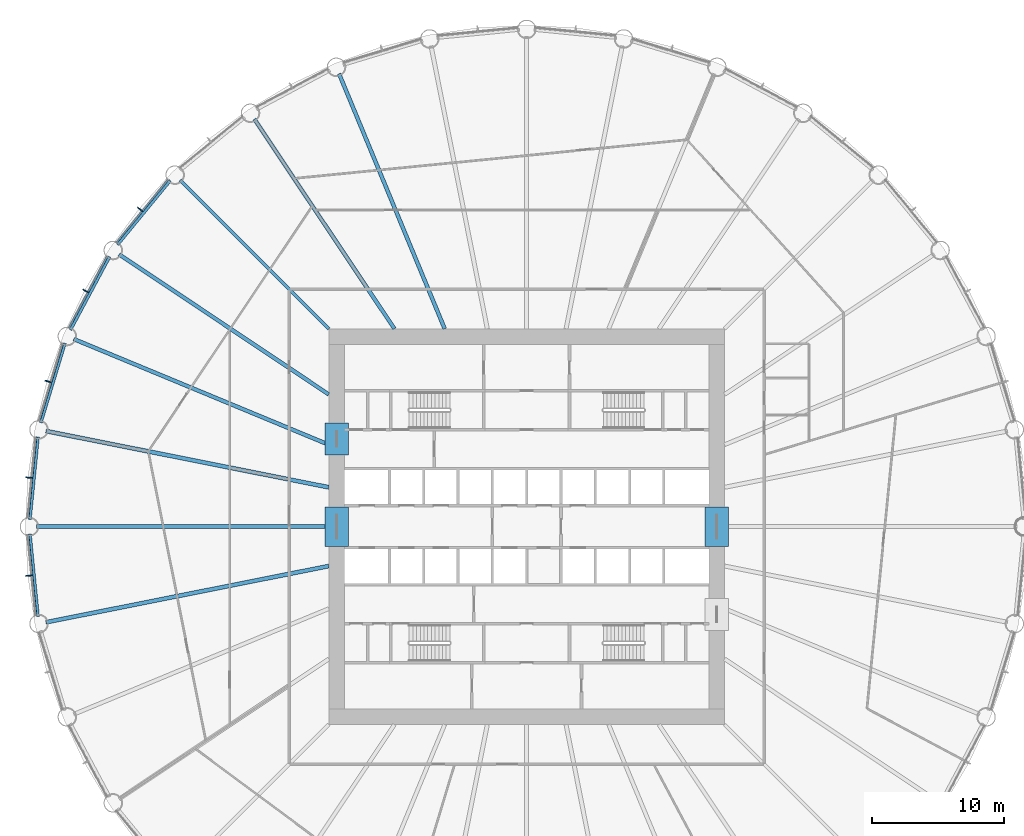
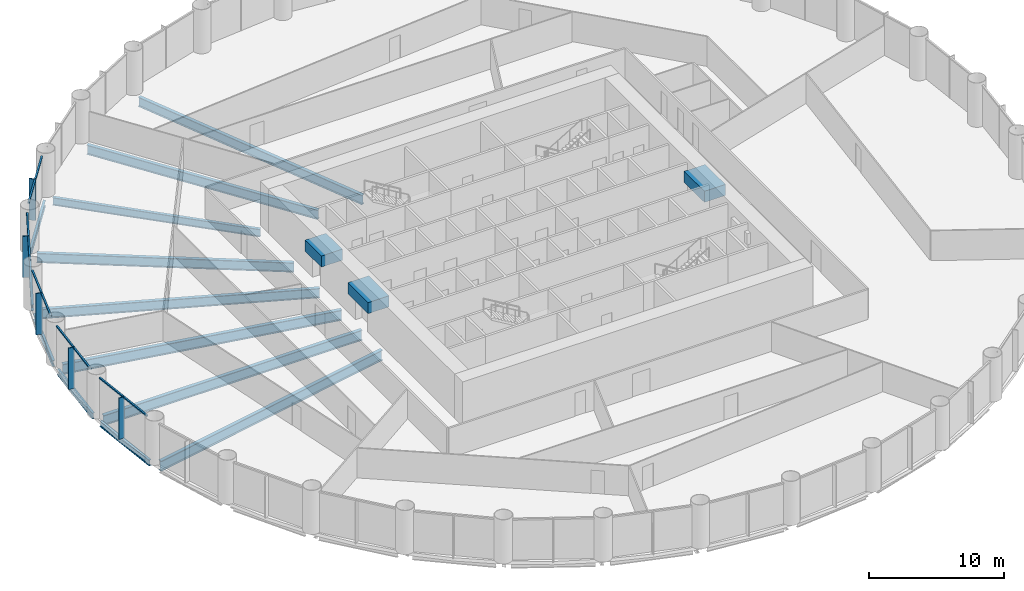
# One storey, part 4 of 14: 16 beams, 15 members, 5 elements without a shape of their own.
"""IFC4 building model written with IfcOpenShell, lengths in metres."""

from ifc_helpers import new_model, si_unit, direction, frame, origin, origin_2d, place, context, subcontext, project, spatial, rectangle, i_section, extrude, material, material_profile, profile_set, type_object, element, aggregate, save


model = new_model("IFC4")

# Units and contexts
model_context = context("Model", 3, precision=1e-05, world=origin(), true_north=direction((0.0, 1.0)))
body_context = subcontext(model_context, "Body", "Model", "MODEL_VIEW")
ifc_project = project(units=[si_unit("LENGTHUNIT", "METRE"), si_unit("AREAUNIT", "SQUARE_METRE"), si_unit("VOLUMEUNIT", "CUBIC_METRE"), si_unit("PLANEANGLEUNIT", "RADIAN"), si_unit("MASSUNIT", "GRAM", prefix="KILO")], contexts=[model_context])

# Site, building, storey
site_placement = place(None, origin())
site = spatial("IfcSite", under=ifc_project, at=site_placement, CompositionType="ELEMENT")
building_placement = place(site_placement, origin())
building = spatial("IfcBuilding", under=site, at=building_placement, Name="Corvane Civic Tower", CompositionType="ELEMENT")
storey_placement = place(building_placement, frame((0.0, 0.0, 49.0)))
storey = spatial("IfcBuildingStorey", under=building, at=storey_placement, Name="L10", CompositionType="ELEMENT", Elevation=49.0)

# Beams
ifc_material_1 = material(Name="Concrete C80/95", Category="concrete")
ifc_material_profile_1 = material_profile(ifc_material_1, rectangle(XDim=1.800048828125, YDim=1.0, at=origin_2d()), Name="COUPLING BEAM 1800X1000")
ifc_profile_set_1 = profile_set([ifc_material_profile_1], Name="Concrete C80/95")
beam_type_1 = type_object("IfcBeamType", Name="COUPLING BEAM COUPLING BEAM 1800X1000", PredefinedType="BEAM", material=ifc_profile_set_1)
for number, where, z_axis, x_axis, name in (
    (1, (-14.39990234375, -1.5, 2.60009765625), (0.0, 1.0, 0.0), (-1.0, 0.0, 0.0), "BM-L10-cpl-CW-LW"),
    (2, (14.39990234375, -1.5, 2.60009765625), (0.0, 1.0, 0.0), (-1.0, 0.0, 0.0), "BM-L10-cpl-CW-LE"),
):
    element("IfcBeam", number, at=place(storey_placement, frame(where, z_axis=z_axis, x_axis=x_axis)), inside=storey, type_object=beam_type_1, Name=name, PredefinedType="BEAM", context=body_context, shape_type="SweptSolid", body=[
        extrude(rectangle(XDim=1.800048828125, YDim=1.0, at=origin_2d()), origin(), (0.0, 0.0, 1.0), 3.0),
    ])
beam_1_placement = place(storey_placement, frame((-14.39990234375, 5.449951171875, 2.60009765625), z_axis=(0.0, 1.0, 0.0), x_axis=(-1.0, 0.0, 0.0)))
element("IfcBeam", 3, at=beam_1_placement, inside=storey, type_object=beam_type_1, Name="BM-L10-cpl-CW-WN", PredefinedType="BEAM", context=body_context, shape_type="SweptSolid", body=[
    extrude(rectangle(XDim=1.800048828125, YDim=1.0, at=origin_2d()), origin(), (0.0, 0.0, 1.0), 2.400146484375),
])
ifc_material_2 = material(Name="Steel ASTM A992 Gr 50", Category="steel")
ifc_material_profile_2 = material_profile(ifc_material_2, i_section(OverallWidth=0.209228515625, OverallDepth=0.533447265625, WebThickness=0.01025390625, FlangeThickness=0.015625, at=origin_2d()), Name="W21X62")
ifc_profile_set_2 = profile_set([ifc_material_profile_2], Name="Steel ASTM A992 Gr 50")
beam_type_2 = type_object("IfcBeamType", Name="EDGE BEAM W21X62", PredefinedType="BEAM", material=ifc_profile_set_2)
for number, where, z_axis, x_axis, name in (
    (4, (-37.029541015625, -6.8076171875, -0.566650390625), (-0.097997284622, 0.995186682089, 0.0), (-0.995186682089, -0.097997284622, 0.0), "BM-L10-E24"),
    (5, (-37.64599609375, 0.54736328125, -0.566650390625), (0.097997284622, 0.995186682089, 0.0), (-0.995186682089, 0.097997284622, 0.0), "BM-L10-E25"),
):
    element("IfcBeam", number, at=place(storey_placement, frame(where, z_axis=z_axis, x_axis=x_axis)), inside=storey, type_object=beam_type_2, Name=name, PredefinedType="BEAM", context=body_context, shape_type="SweptSolid", body=[
        extrude(i_section(OverallWidth=0.209228515625, OverallDepth=0.533447265625, WebThickness=0.01025390625, FlangeThickness=0.015625, at=origin_2d()), origin(), (0.0, 0.0, 1.0), 6.29052734375),
    ])
for number, where, z_axis, x_axis, name in (
    (6, (-36.81591796875, 7.88134765625, -0.566650390625), (0.290273452184, 0.956943740748, 0.0), (-0.956943740748, 0.290273452184, 0.0), "BM-L10-E26"),
    (7, (-34.571044921875, 14.912353515625, -0.566650390625), (0.471405897311, 0.881916367906, 0.0), (-0.881916367906, 0.471405897311, 0.0), "BM-L10-E27"),
):
    element("IfcBeam", number, at=place(storey_placement, frame(where, z_axis=z_axis, x_axis=x_axis)), inside=storey, type_object=beam_type_2, Name=name, PredefinedType="BEAM", context=body_context, shape_type="SweptSolid", body=[
        extrude(i_section(OverallWidth=0.209228515625, OverallDepth=0.533447265625, WebThickness=0.01025390625, FlangeThickness=0.015625, at=origin_2d()), origin(), (0.0, 0.0, 1.0), 6.290283203125),
    ])
beam_2_placement = place(storey_placement, frame((-30.99755859375, 21.3701171875, -0.566650390625), z_axis=(0.634386787141, 0.773015785286, 0.0), x_axis=(-0.773015785286, 0.634386787141, 0.0)))
element("IfcBeam", 8, at=beam_2_placement, inside=storey, type_object=beam_type_2, Name="BM-L10-E28", PredefinedType="BEAM", context=body_context, shape_type="SweptSolid", body=[
    extrude(i_section(OverallWidth=0.209228515625, OverallDepth=0.533447265625, WebThickness=0.01025390625, FlangeThickness=0.015625, at=origin_2d()), origin(), (0.0, 0.0, 1.0), 6.290771484375),
])
ifc_material_3 = material(Name="Steel ASTM A992 Gr 50", Category="steel")
ifc_material_profile_3 = material_profile(ifc_material_3, i_section(OverallWidth=0.256591796875, OverallDepth=0.693359375, WebThickness=0.014404296875, FlangeThickness=0.023681640625, at=origin_2d()), Name="W27X114")
ifc_profile_set_3 = profile_set([ifc_material_profile_3], Name="Steel ASTM A992 Gr 50")
beam_type_3 = type_object("IfcBeamType", Name="FLOOR GIRDER W27X114", PredefinedType="BEAM", material=ifc_profile_set_3)
beam_3_placement = place(storey_placement, frame((-15.0, 15.0, -0.646728515625), z_axis=(-0.707106781187, 0.707106781187, 0.0), x_axis=(-0.707106781187, -0.707106781187, 0.0)))
element("IfcBeam", 9, at=beam_3_placement, inside=storey, type_object=beam_type_3, Name="BM-L10-G29", PredefinedType="BEAM", context=body_context, shape_type="SweptSolid", body=[
    extrude(i_section(OverallWidth=0.256591796875, OverallDepth=0.693359375, WebThickness=0.014404296875, FlangeThickness=0.023681640625, at=origin_2d()), origin(), (0.0, 0.0, 1.0), 15.936767578125),
])
ifc_material_4 = material(Name="Steel ASTM A992 Gr 50", Category="steel")
ifc_material_profile_4 = material_profile(ifc_material_4, i_section(OverallWidth=0.2919921875, OverallDepth=0.8583984375, WebThickness=0.01708984375, FlangeThickness=0.031005859375, at=origin_2d()), Name="W33X169")
ifc_profile_set_4 = profile_set([ifc_material_profile_4], Name="Steel ASTM A992 Gr 50")
beam_type_4 = type_object("IfcBeamType", Name="FLOOR GIRDER W33X169", PredefinedType="BEAM", material=ifc_profile_set_4)
beam_4_placement = place(storey_placement, frame((-15.0, 6.213134765625, -0.729248046875), z_axis=(-0.923875834355, 0.382692360381, 0.0), x_axis=(-0.382692360381, -0.923875834355, 0.0)))
element("IfcBeam", 10, at=beam_4_placement, inside=storey, type_object=beam_type_4, Name="BM-L10-G27", PredefinedType="BEAM", context=body_context, shape_type="SweptSolid", body=[
    extrude(i_section(OverallWidth=0.2919921875, OverallDepth=0.8583984375, WebThickness=0.01708984375, FlangeThickness=0.031005859375, at=origin_2d()), origin(), (0.0, 0.0, 1.0), 20.9140625),
])
for number, where, z_axis, x_axis, name in (
    (11, (-15.0, 10.022705078125, -0.729248046875), (-0.831471985418, 0.555566681385, 0.0), (-0.555566681385, -0.831471985418, 0.0), "BM-L10-G28"),
    (12, (-10.022705078125, 15.0, -0.729248046875), (-0.555566681385, 0.831471985418, 0.0), (-0.831471985418, -0.555566681385, 0.0), "BM-L10-G30"),
):
    element("IfcBeam", number, at=place(storey_placement, frame(where, z_axis=z_axis, x_axis=x_axis)), inside=storey, type_object=beam_type_4, Name=name, PredefinedType="BEAM", context=body_context, shape_type="SweptSolid", body=[
        extrude(i_section(OverallWidth=0.2919921875, OverallDepth=0.8583984375, WebThickness=0.01708984375, FlangeThickness=0.031005859375, at=origin_2d()), origin(), (0.0, 0.0, 1.0), 19.109619140625),
    ])
beam_5_placement = place(storey_placement, frame((-6.213134765625, 15.0, -0.729248046875), z_axis=(-0.382692360381, 0.923875834355, 0.0), x_axis=(-0.923875834355, -0.382692360381, 0.0)))
element("IfcBeam", 13, at=beam_5_placement, inside=storey, type_object=beam_type_4, Name="BM-L10-G31", PredefinedType="BEAM", context=body_context, shape_type="SweptSolid", body=[
    extrude(i_section(OverallWidth=0.2919921875, OverallDepth=0.8583984375, WebThickness=0.01708984375, FlangeThickness=0.031005859375, at=origin_2d()), origin(), (0.0, 0.0, 1.0), 20.9140625),
])
ifc_material_5 = material(Name="Steel ASTM A992 Gr 50", Category="steel")
ifc_material_profile_5 = material_profile(ifc_material_5, i_section(OverallWidth=0.307373046875, OverallDepth=0.927001953125, WebThickness=0.01953125, FlangeThickness=0.031982421875, at=origin_2d()), Name="W36X194")
ifc_profile_set_5 = profile_set([ifc_material_profile_5], Name="Steel ASTM A992 Gr 50")
beam_type_5 = type_object("IfcBeamType", Name="FLOOR GIRDER W36X194", PredefinedType="BEAM", material=ifc_profile_set_5)
beam_6_placement = place(storey_placement, frame((-15.0, -2.983642578125, -0.763671875), z_axis=(-0.980785499679, -0.195089219638, 0.0), x_axis=(0.195089219638, -0.980785499679, 0.0)))
element("IfcBeam", 14, at=beam_6_placement, inside=storey, type_object=beam_type_5, Name="BM-L10-G24", PredefinedType="BEAM", context=body_context, shape_type="SweptSolid", body=[
    extrude(i_section(OverallWidth=0.307373046875, OverallDepth=0.927001953125, WebThickness=0.01953125, FlangeThickness=0.031982421875, at=origin_2d()), origin(), (0.0, 0.0, 1.0), 21.856201171875),
])
beam_7_placement = place(storey_placement, frame((-15.0, 0.0, -0.763671875), z_axis=(-1.0, 0.0, 0.0), x_axis=(0.0, -1.0, 0.0)))
element("IfcBeam", 15, at=beam_7_placement, inside=storey, type_object=beam_type_5, Name="BM-L10-G25", PredefinedType="BEAM", context=body_context, shape_type="SweptSolid", body=[
    extrude(i_section(OverallWidth=0.307373046875, OverallDepth=0.927001953125, WebThickness=0.01953125, FlangeThickness=0.031982421875, at=origin_2d()), origin(), (0.0, 0.0, 1.0), 22.14990234375),
])
beam_8_placement = place(storey_placement, frame((-15.0, 2.983642578125, -0.763671875), z_axis=(-0.980785499679, 0.195089219638, 0.0), x_axis=(-0.195089219638, -0.980785499679, 0.0)))
element("IfcBeam", 16, at=beam_8_placement, inside=storey, type_object=beam_type_5, Name="BM-L10-G26", PredefinedType="BEAM", context=body_context, shape_type="SweptSolid", body=[
    extrude(i_section(OverallWidth=0.307373046875, OverallDepth=0.927001953125, WebThickness=0.01953125, FlangeThickness=0.031982421875, at=origin_2d()), origin(), (0.0, 0.0, 1.0), 21.856201171875),
])

# Curtain wall, members
ifc_material_6 = material(Name="Anodised aluminium bronze", Category="aluminium")
curtain_wall_type = type_object("IfcCurtainWallType", Name="TOWER CW-T1 STICK CURTAIN WALL", PredefinedType="NOTDEFINED", material=ifc_material_6)
curtain_wall_1_placement = place(storey_placement, origin())
curtain_wall_1 = element("IfcCurtainWall", 17, at=curtain_wall_1_placement, inside=storey, type_object=curtain_wall_type, Name="Curtain wall CW-T1 L10 bay 24", PredefinedType="NOTDEFINED")
ifc_material_7 = material(Name="Anodised aluminium bronze", Category="aluminium")
ifc_material_profile_6 = material_profile(ifc_material_7, rectangle(XDim=0.139892578125, YDim=0.1201171875, at=origin_2d()), Name="TOWER CW-T1 TRANSOM 140x120")
ifc_profile_set_6 = profile_set([ifc_material_profile_6], Name="Anodised aluminium bronze")
member_type_1 = type_object("IfcMemberType", Name="TOWER CW-T1 TRANSOM 140x120", PredefinedType="USERDEFINED", material=ifc_profile_set_6)
member_1_placement = place(storey_placement, frame((-37.21728515625, -6.72900390625, 3.68994140625), z_axis=(-0.097944923917, 0.995191836722, 0.0), x_axis=(-0.995191836722, -0.097944923917, 0.0)))
member_1 = element("IfcMember", 18, at=member_1_placement, type_object=member_type_1, Name="Transom CW-T1 L10 24.1", ObjectType="TRANSOM", PredefinedType="USERDEFINED", context=body_context, shape_type="SweptSolid", body=[
    extrude(rectangle(XDim=0.139892578125, YDim=0.1201171875, at=origin_2d()), origin(), (0.0, 0.0, 1.0), 3.008544921875),
])
member_2_placement = place(storey_placement, frame((-37.52001953125, -3.6552734375, 3.68994140625), z_axis=(-0.097944923917, 0.995191836722, 0.0), x_axis=(-0.995191836722, -0.097944923917, 0.0)))
member_2 = element("IfcMember", 19, at=member_2_placement, type_object=member_type_1, Name="Transom CW-T1 L10 24.2", ObjectType="TRANSOM", PredefinedType="USERDEFINED", context=body_context, shape_type="SweptSolid", body=[
    extrude(rectangle(XDim=0.139892578125, YDim=0.1201171875, at=origin_2d()), origin(), (0.0, 0.0, 1.0), 3.008544921875),
])

curtain_wall_2_placement = place(storey_placement, origin())
curtain_wall_2 = element("IfcCurtainWall", 20, at=curtain_wall_2_placement, inside=storey, type_object=curtain_wall_type, Name="Curtain wall CW-T1 L10 bay 25", PredefinedType="NOTDEFINED")
member_3_placement = place(storey_placement, frame((-37.814697265625, 0.6611328125, 3.68994140625), z_axis=(0.097944923917, 0.995191836722, 0.0), x_axis=(-0.995191836722, 0.097944923917, 0.0)))
member_3 = element("IfcMember", 21, at=member_3_placement, type_object=member_type_1, Name="Transom CW-T1 L10 25.1", ObjectType="TRANSOM", PredefinedType="USERDEFINED", context=body_context, shape_type="SweptSolid", body=[
    extrude(rectangle(XDim=0.139892578125, YDim=0.1201171875, at=origin_2d()), origin(), (0.0, 0.0, 1.0), 3.008544921875),
])
member_4_placement = place(storey_placement, frame((-37.511962890625, 3.73486328125, 3.68994140625), z_axis=(0.097944923917, 0.995191836722, 0.0), x_axis=(-0.995191836722, 0.097944923917, 0.0)))
member_4 = element("IfcMember", 22, at=member_4_placement, type_object=member_type_1, Name="Transom CW-T1 L10 25.2", ObjectType="TRANSOM", PredefinedType="USERDEFINED", context=body_context, shape_type="SweptSolid", body=[
    extrude(rectangle(XDim=0.139892578125, YDim=0.1201171875, at=origin_2d()), origin(), (0.0, 0.0, 1.0), 3.008544921875),
])

curtain_wall_3_placement = place(storey_placement, origin())
curtain_wall_3 = element("IfcCurtainWall", 23, at=curtain_wall_3_placement, inside=storey, type_object=curtain_wall_type, Name="Curtain wall CW-T1 L10 bay 26", PredefinedType="NOTDEFINED")
member_5_placement = place(storey_placement, frame((-36.959228515625, 8.02587890625, 3.68994140625), z_axis=(0.290279914268, 0.956941780555, 0.0), x_axis=(-0.956941780555, 0.290279914268, 0.0)))
member_5 = element("IfcMember", 24, at=member_5_placement, type_object=member_type_1, Name="Transom CW-T1 L10 26.1", ObjectType="TRANSOM", PredefinedType="USERDEFINED", context=body_context, shape_type="SweptSolid", body=[
    extrude(rectangle(XDim=0.139892578125, YDim=0.1201171875, at=origin_2d()), origin(), (0.0, 0.0, 1.0), 3.008544921875),
])
member_6_placement = place(storey_placement, frame((-36.062744140625, 10.9814453125, 3.68994140625), z_axis=(0.290279914268, 0.956941780555, 0.0), x_axis=(-0.956941780555, 0.290279914268, 0.0)))
member_6 = element("IfcMember", 25, at=member_6_placement, type_object=member_type_1, Name="Transom CW-T1 L10 26.2", ObjectType="TRANSOM", PredefinedType="USERDEFINED", context=body_context, shape_type="SweptSolid", body=[
    extrude(rectangle(XDim=0.139892578125, YDim=0.1201171875, at=origin_2d()), origin(), (0.0, 0.0, 1.0), 3.008544921875),
])

curtain_wall_4_placement = place(storey_placement, origin())
curtain_wall_4 = element("IfcCurtainWall", 26, at=curtain_wall_4_placement, inside=storey, type_object=curtain_wall_type, Name="Curtain wall CW-T1 L10 bay 27", PredefinedType="NOTDEFINED")
member_7_placement = place(storey_placement, frame((-34.683349609375, 15.08203125, 3.68994140625), z_axis=(0.471392506424, 0.881923525532, 0.0), x_axis=(-0.881923525532, 0.471392506424, 0.0)))
member_7 = element("IfcMember", 27, at=member_7_placement, type_object=member_type_1, Name="Transom CW-T1 L10 27.1", ObjectType="TRANSOM", PredefinedType="USERDEFINED", context=body_context, shape_type="SweptSolid", body=[
    extrude(rectangle(XDim=0.139892578125, YDim=0.1201171875, at=origin_2d()), origin(), (0.0, 0.0, 1.0), 3.008544921875),
])
member_8_placement = place(storey_placement, frame((-33.2275390625, 17.805908203125, 3.68994140625), z_axis=(0.471392506424, 0.881923525532, 0.0), x_axis=(-0.881923525532, 0.471392506424, 0.0)))
member_8 = element("IfcMember", 28, at=member_8_placement, type_object=member_type_1, Name="Transom CW-T1 L10 27.2", ObjectType="TRANSOM", PredefinedType="USERDEFINED", context=body_context, shape_type="SweptSolid", body=[
    extrude(rectangle(XDim=0.139892578125, YDim=0.1201171875, at=origin_2d()), origin(), (0.0, 0.0, 1.0), 3.008544921875),
])

curtain_wall_5_placement = place(storey_placement, origin())
curtain_wall_5 = element("IfcCurtainWall", 29, at=curtain_wall_5_placement, inside=storey, type_object=curtain_wall_type, Name="Curtain wall CW-T1 L10 bay 28", PredefinedType="NOTDEFINED")
member_9_placement = place(storey_placement, frame((-31.074462890625, 21.55859375, 3.68994140625), z_axis=(0.634355161466, 0.773041738279, 0.0), x_axis=(-0.773041738279, 0.634355161466, 0.0)))
member_9 = element("IfcMember", 30, at=member_9_placement, type_object=member_type_1, Name="Transom CW-T1 L10 28.1", ObjectType="TRANSOM", PredefinedType="USERDEFINED", context=body_context, shape_type="SweptSolid", body=[
    extrude(rectangle(XDim=0.139892578125, YDim=0.1201171875, at=origin_2d()), origin(), (0.0, 0.0, 1.0), 3.008544921875),
])
member_10_placement = place(storey_placement, frame((-29.115234375, 23.946044921875, 3.68994140625), z_axis=(0.634403652865, 0.773001943873, 0.0), x_axis=(-0.773001943873, 0.634403652865, 0.0)))
member_10 = element("IfcMember", 31, at=member_10_placement, type_object=member_type_1, Name="Transom CW-T1 L10 28.2", ObjectType="TRANSOM", PredefinedType="USERDEFINED", context=body_context, shape_type="SweptSolid", body=[
    extrude(rectangle(XDim=0.139892578125, YDim=0.1201171875, at=origin_2d()), origin(), (0.0, 0.0, 1.0), 3.008544921875),
])

# Member
ifc_material_8 = material(Name="Anodised aluminium bronze", Category="aluminium")
ifc_material_profile_7 = material_profile(ifc_material_8, rectangle(XDim=0.080078125, YDim=0.5, at=origin_2d()), Name="TOWER FIN MULLION 80x500 BRONZE")
ifc_profile_set_7 = profile_set([ifc_material_profile_7], Name="Anodised aluminium bronze")
member_type_2 = type_object("IfcMemberType", Name="TOWER FIN MULLION 80x500 BRONZE", PredefinedType="MULLION", material=ifc_profile_set_7)
member_11_placement = place(storey_placement, frame((-37.715087890625, -3.714599609375, 0.0), z_axis=(0.0, 0.0, 1.0), x_axis=(-0.098006239521, 0.995185800248, 0.0)))
member_11 = element("IfcMember", 32, at=member_11_placement, type_object=member_type_2, Name="Fin mullion 24 L10", PredefinedType="MULLION", context=body_context, shape_type="SweptSolid", body=[
    extrude(rectangle(XDim=0.080078125, YDim=0.5, at=origin_2d()), origin(), (0.0, 0.0, 1.0), 3.75),
])

aggregate(curtain_wall_1, [member_11, member_1, member_2])

member_12_placement = place(storey_placement, frame((-37.715087890625, 3.714599609375, 0.0), z_axis=(0.0, 0.0, 1.0), x_axis=(0.098006239521, 0.995185800248, 0.0)))
member_12 = element("IfcMember", 33, at=member_12_placement, type_object=member_type_2, Name="Fin mullion 25 L10", PredefinedType="MULLION", context=body_context, shape_type="SweptSolid", body=[
    extrude(rectangle(XDim=0.080078125, YDim=0.5, at=origin_2d()), origin(), (0.0, 0.0, 1.0), 3.75),
])

aggregate(curtain_wall_2, [member_12, member_3, member_4])

member_13_placement = place(storey_placement, frame((-36.265625, 11.001220703125, 0.0), z_axis=(0.0, 0.0, 1.0), x_axis=(0.290278397654, 0.956942240606, 0.0)))
member_13 = element("IfcMember", 34, at=member_13_placement, type_object=member_type_2, Name="Fin mullion 26 L10", PredefinedType="MULLION", context=body_context, shape_type="SweptSolid", body=[
    extrude(rectangle(XDim=0.080078125, YDim=0.5, at=origin_2d()), origin(), (0.0, 0.0, 1.0), 3.75),
])

aggregate(curtain_wall_3, [member_13, member_5, member_6])

member_14_placement = place(storey_placement, frame((-33.422607421875, 17.86474609375, 0.0), z_axis=(0.0, 0.0, 1.0), x_axis=(0.471403725359, 0.881917528864, 0.0)))
member_14 = element("IfcMember", 35, at=member_14_placement, type_object=member_type_2, Name="Fin mullion 27 L10", PredefinedType="MULLION", context=body_context, shape_type="SweptSolid", body=[
    extrude(rectangle(XDim=0.080078125, YDim=0.5, at=origin_2d()), origin(), (0.0, 0.0, 1.0), 3.75),
])

aggregate(curtain_wall_4, [member_14, member_7, member_8])

member_15_placement = place(storey_placement, frame((-29.295166015625, 24.0419921875, 0.0), z_axis=(0.0, 0.0, 1.0), x_axis=(0.634397218569, 0.773007224463, 0.0)))
member_15 = element("IfcMember", 36, at=member_15_placement, type_object=member_type_2, Name="Fin mullion 28 L10", PredefinedType="MULLION", context=body_context, shape_type="SweptSolid", body=[
    extrude(rectangle(XDim=0.080078125, YDim=0.5, at=origin_2d()), origin(), (0.0, 0.0, 1.0), 3.75),
])

aggregate(curtain_wall_5, [member_15, member_9, member_10])

save(model, "model.ifc")
